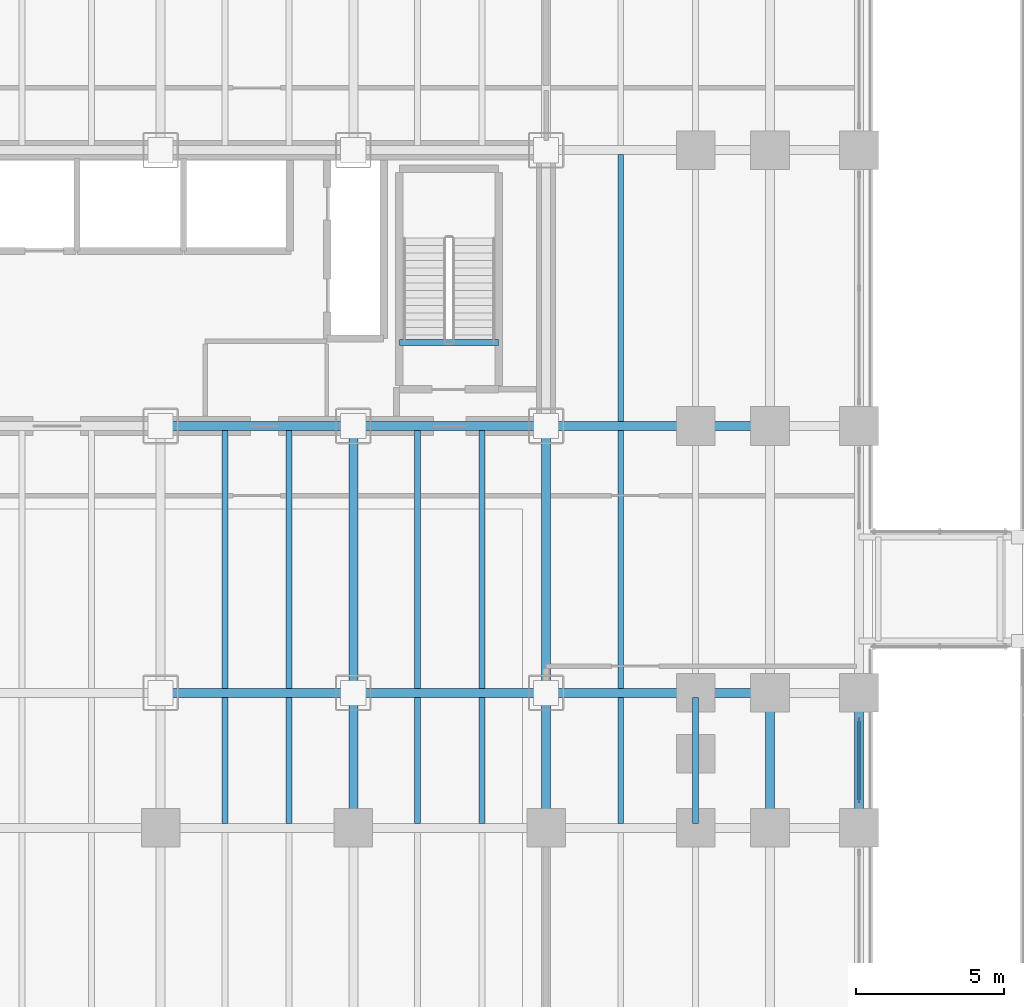
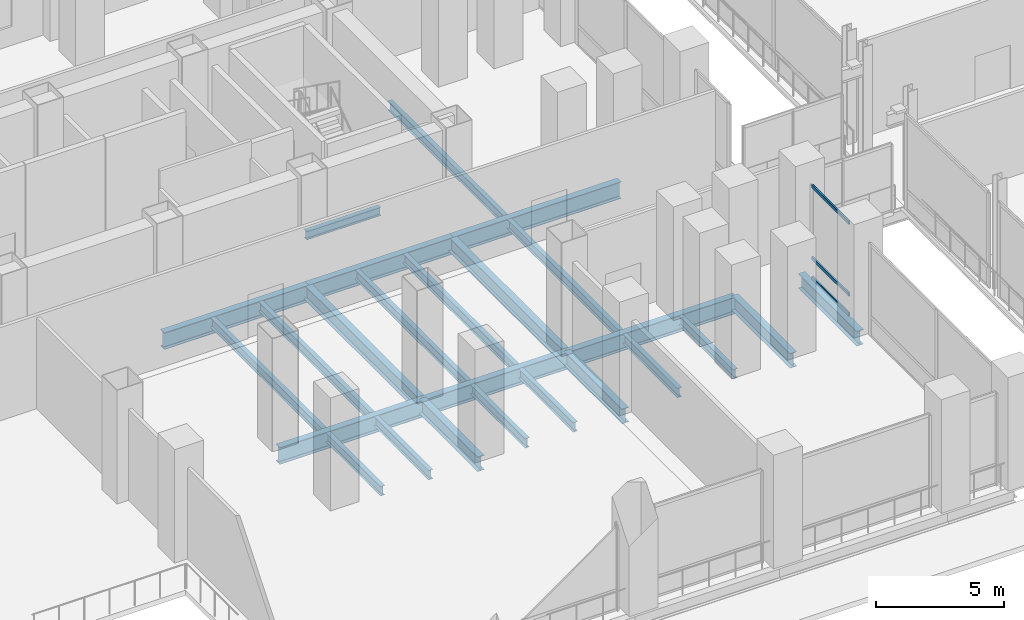
# One storey, part 11 of 32: 25 beams, 3 members, 1 element without a shape of its own.
"""IFC4 building model written with IfcOpenShell, lengths in metres."""

from ifc_helpers import new_model, si_unit, direction, frame, origin, origin_2d, place, context, subcontext, project, spatial, hollow_rectangle, i_section, extrude, material, material_profile, profile_set, type_object, element, aggregate, save


model = new_model("IFC4")

# Units and contexts
model_context = context("Model", 3, precision=1e-05, world=origin(), true_north=direction((0.0, 1.0)))
body_context = subcontext(model_context, "Body", "Model", "MODEL_VIEW")
ifc_project = project(units=[si_unit("LENGTHUNIT", "METRE"), si_unit("AREAUNIT", "SQUARE_METRE"), si_unit("VOLUMEUNIT", "CUBIC_METRE"), si_unit("PLANEANGLEUNIT", "RADIAN"), si_unit("MASSUNIT", "GRAM", prefix="KILO")], contexts=[model_context])

# Site, building, storey
site_placement = place(None, origin())
site = spatial("IfcSite", under=ifc_project, at=site_placement, CompositionType="ELEMENT")
building_placement = place(site_placement, origin())
building = spatial("IfcBuilding", under=site, at=building_placement, Name="Noeulbin Bourse Tower", CompositionType="ELEMENT")
storey_placement = place(building_placement, frame((0.0, 0.0, 5.800048828125)))
storey = spatial("IfcBuildingStorey", under=building, at=storey_placement, Name="L02", CompositionType="ELEMENT", Elevation=5.800048828125)

# Beams
ifc_material_1 = material(Name="Steel S355", Category="steel")
ifc_material_profile_1 = material_profile(ifc_material_1, i_section(OverallWidth=0.300048828125, OverallDepth=0.699951171875, WebThickness=0.012939453125, FlangeThickness=0.02392578125, FilletRadius=0.02392578125, at=origin_2d()), Name="H-700x300x13x24", Category="LoadBearing")
ifc_profile_set_1 = profile_set([ifc_material_profile_1], Name="Steel S355")
beam_type_1 = type_object("IfcBeamType", Name="BM-GRD-700", PredefinedType="USERDEFINED", material=ifc_profile_set_1)
beam_1_placement = place(storey_placement, frame((37.5, 15.449951171875, -0.60009765625), z_axis=(0.0, 1.0, 0.0), x_axis=(-1.0, 0.0, 0.0)))
element("IfcBeam", 1, at=beam_1_placement, inside=storey, type_object=beam_type_1, Name="Podium Primary Girder NS L02-086", ObjectType="GIRDER", PredefinedType="USERDEFINED", context=body_context, shape_type="SweptSolid", body=[
    extrude(i_section(OverallWidth=0.300048828125, OverallDepth=0.699951171875, WebThickness=0.012939453125, FlangeThickness=0.02392578125, FilletRadius=0.02392578125, at=origin_2d()), origin(), (0.0, 0.0, 1.0), 4.550048828125),
])
beam_2_placement = place(storey_placement, frame((37.5, 20.0, -0.60009765625), z_axis=(0.0, 1.0, 0.0), x_axis=(-1.0, 0.0, 0.0)))
element("IfcBeam", 2, at=beam_2_placement, inside=storey, type_object=beam_type_1, Name="Podium Primary Girder NS L02-087", ObjectType="GIRDER", PredefinedType="USERDEFINED", context=body_context, shape_type="SweptSolid", body=[
    extrude(i_section(OverallWidth=0.300048828125, OverallDepth=0.699951171875, WebThickness=0.012939453125, FlangeThickness=0.02392578125, FilletRadius=0.02392578125, at=origin_2d()), origin(), (0.0, 0.0, 1.0), 9.0),
])
beam_3_placement = place(storey_placement, frame((44.0, 15.449951171875, -0.60009765625), z_axis=(0.0, 1.0, 0.0), x_axis=(-1.0, 0.0, 0.0)))
element("IfcBeam", 3, at=beam_3_placement, inside=storey, type_object=beam_type_1, Name="Podium Primary Girder NS L02-091", ObjectType="GIRDER", PredefinedType="USERDEFINED", context=body_context, shape_type="SweptSolid", body=[
    extrude(i_section(OverallWidth=0.300048828125, OverallDepth=0.699951171875, WebThickness=0.012939453125, FlangeThickness=0.02392578125, FilletRadius=0.02392578125, at=origin_2d()), origin(), (0.0, 0.0, 1.0), 4.550048828125),
])
beam_4_placement = place(storey_placement, frame((44.0, 20.0, -0.60009765625), z_axis=(0.0, 1.0, 0.0), x_axis=(-1.0, 0.0, 0.0)))
element("IfcBeam", 4, at=beam_4_placement, inside=storey, type_object=beam_type_1, Name="Podium Primary Girder NS L02-092", ObjectType="GIRDER", PredefinedType="USERDEFINED", context=body_context, shape_type="SweptSolid", body=[
    extrude(i_section(OverallWidth=0.300048828125, OverallDepth=0.699951171875, WebThickness=0.012939453125, FlangeThickness=0.02392578125, FilletRadius=0.02392578125, at=origin_2d()), origin(), (0.0, 0.0, 1.0), 9.0),
])
for number, where, z_axis, x_axis, name in (
    (5, (51.550048828125, 15.449951171875, -0.60009765625), (0.0, 1.0, 0.0), (-1.0, 0.0, 0.0), "Podium Primary Girder NS L02-097"),
    (6, (54.550048828125, 15.449951171875, -0.60009765625), (0.0, 1.0, 0.0), (-1.0, 0.0, 0.0), "Podium Primary Girder NS L02-103"),
):
    element("IfcBeam", number, at=place(storey_placement, frame(where, z_axis=z_axis, x_axis=x_axis)), inside=storey, type_object=beam_type_1, Name=name, ObjectType="GIRDER", PredefinedType="USERDEFINED", context=body_context, shape_type="SweptSolid", body=[
        extrude(i_section(OverallWidth=0.300048828125, OverallDepth=0.699951171875, WebThickness=0.012939453125, FlangeThickness=0.02392578125, FilletRadius=0.02392578125, at=origin_2d()), origin(), (0.0, 0.0, 1.0), 4.550048828125),
    ])
ifc_material_profile_2 = material_profile(ifc_material_1, i_section(OverallWidth=0.300048828125, OverallDepth=0.800048828125, WebThickness=0.013916015625, FlangeThickness=0.02587890625, FilletRadius=0.02587890625, at=origin_2d()), Name="H-800x300x14x26", Category="LoadBearing")
ifc_profile_set_2 = profile_set([ifc_material_profile_2], Name="Steel S355")
beam_type_2 = type_object("IfcBeamType", Name="BM-GRD-800", PredefinedType="USERDEFINED", material=ifc_profile_set_2)
for number, where, z_axis, x_axis, name in (
    (7, (31.0, 20.0, -0.650146484375), (1.0, 0.0, 0.0), (0.0, 1.0, 0.0), "Podium Primary Girder EW L02-021"),
    (8, (37.5, 20.0, -0.650146484375), (1.0, 0.0, 0.0), (0.0, 1.0, 0.0), "Podium Primary Girder EW L02-022"),
):
    element("IfcBeam", number, at=place(storey_placement, frame(where, z_axis=z_axis, x_axis=x_axis)), inside=storey, type_object=beam_type_2, Name=name, ObjectType="GIRDER", PredefinedType="USERDEFINED", context=body_context, shape_type="SweptSolid", body=[
        extrude(i_section(OverallWidth=0.300048828125, OverallDepth=0.800048828125, WebThickness=0.013916015625, FlangeThickness=0.02587890625, FilletRadius=0.02587890625, at=origin_2d()), origin(), (0.0, 0.0, 1.0), 6.5),
    ])
beam_5_placement = place(storey_placement, frame((44.0, 20.0, -0.650146484375), z_axis=(1.0, 0.0, 0.0), x_axis=(0.0, 1.0, 0.0)))
element("IfcBeam", 9, at=beam_5_placement, inside=storey, type_object=beam_type_2, Name="Podium Primary Girder EW L02-023", ObjectType="GIRDER", PredefinedType="USERDEFINED", context=body_context, shape_type="SweptSolid", body=[
    extrude(i_section(OverallWidth=0.300048828125, OverallDepth=0.800048828125, WebThickness=0.013916015625, FlangeThickness=0.02587890625, FilletRadius=0.02587890625, at=origin_2d()), origin(), (0.0, 0.0, 1.0), 7.550048828125),
])
for number, where, z_axis, x_axis, name in (
    (10, (31.0, 29.0, -0.650146484375), (1.0, 0.0, 0.0), (0.0, 1.0, 0.0), "Podium Primary Girder EW L02-029"),
    (11, (37.5, 29.0, -0.650146484375), (1.0, 0.0, 0.0), (0.0, 1.0, 0.0), "Podium Primary Girder EW L02-030"),
):
    element("IfcBeam", number, at=place(storey_placement, frame(where, z_axis=z_axis, x_axis=x_axis)), inside=storey, type_object=beam_type_2, Name=name, ObjectType="GIRDER", PredefinedType="USERDEFINED", context=body_context, shape_type="SweptSolid", body=[
        extrude(i_section(OverallWidth=0.300048828125, OverallDepth=0.800048828125, WebThickness=0.013916015625, FlangeThickness=0.02587890625, FilletRadius=0.02587890625, at=origin_2d()), origin(), (0.0, 0.0, 1.0), 6.5),
    ])
beam_6_placement = place(storey_placement, frame((44.0, 29.0, -0.650146484375), z_axis=(1.0, 0.0, 0.0), x_axis=(0.0, 1.0, 0.0)))
element("IfcBeam", 12, at=beam_6_placement, inside=storey, type_object=beam_type_2, Name="Podium Primary Girder EW L02-031", ObjectType="GIRDER", PredefinedType="USERDEFINED", context=body_context, shape_type="SweptSolid", body=[
    extrude(i_section(OverallWidth=0.300048828125, OverallDepth=0.800048828125, WebThickness=0.013916015625, FlangeThickness=0.02587890625, FilletRadius=0.02587890625, at=origin_2d()), origin(), (0.0, 0.0, 1.0), 7.550048828125),
])
ifc_material_profile_3 = material_profile(ifc_material_1, i_section(OverallWidth=0.199951171875, OverallDepth=0.39990234375, WebThickness=0.008056640625, FlangeThickness=0.012939453125, FilletRadius=0.01611328125, at=origin_2d()), Name="H-400x200x8x13", Category="LoadBearing")
ifc_profile_set_3 = profile_set([ifc_material_profile_3], Name="Steel S355")
beam_type_3 = type_object("IfcBeamType", Name="BM-SEC-400", PredefinedType="BEAM", material=ifc_profile_set_3)
beam_7_placement = place(storey_placement, frame((39.06005859375, 31.820068359375, -0.199951171875), z_axis=(1.0, 0.0, 0.0), x_axis=(0.0, 1.0, 0.0)))
element("IfcBeam", 13, at=beam_7_placement, inside=storey, type_object=beam_type_3, Name="Stair Threshold Trimmer Beam ST2-L02", PredefinedType="BEAM", context=body_context, shape_type="SweptSolid", body=[
    extrude(i_section(OverallWidth=0.199951171875, OverallDepth=0.39990234375, WebThickness=0.008056640625, FlangeThickness=0.012939453125, FilletRadius=0.01611328125, at=origin_2d()), origin(), (0.0, 0.0, 1.0), 3.33984375),
])
ifc_material_profile_4 = material_profile(ifc_material_1, i_section(OverallWidth=0.199951171875, OverallDepth=0.449951171875, WebThickness=0.009033203125, FlangeThickness=0.013916015625, FilletRadius=0.01806640625, at=origin_2d()), Name="H-450x200x9x14", Category="LoadBearing")
ifc_profile_set_4 = profile_set([ifc_material_profile_4], Name="Steel S355")
beam_type_4 = type_object("IfcBeamType", Name="BM-SEC-450", PredefinedType="BEAM", material=ifc_profile_set_4)
beam_8_placement = place(storey_placement, frame((33.166748046875, 15.60009765625, -0.47509765625), z_axis=(0.0, 1.0, 0.0), x_axis=(-1.0, 0.0, 0.0)))
element("IfcBeam", 14, at=beam_8_placement, inside=storey, type_object=beam_type_4, Name="Podium Secondary Beam L02-050", PredefinedType="BEAM", context=body_context, shape_type="SweptSolid", body=[
    extrude(i_section(OverallWidth=0.199951171875, OverallDepth=0.449951171875, WebThickness=0.009033203125, FlangeThickness=0.013916015625, FilletRadius=0.01806640625, at=origin_2d()), origin(), (0.0, 0.0, 1.0), 4.25),
])
beam_9_placement = place(storey_placement, frame((33.166748046875, 20.14990234375, -0.47509765625), z_axis=(0.0, 1.0, 0.0), x_axis=(-1.0, 0.0, 0.0)))
element("IfcBeam", 15, at=beam_9_placement, inside=storey, type_object=beam_type_4, Name="Podium Secondary Beam L02-051", PredefinedType="BEAM", context=body_context, shape_type="SweptSolid", body=[
    extrude(i_section(OverallWidth=0.199951171875, OverallDepth=0.449951171875, WebThickness=0.009033203125, FlangeThickness=0.013916015625, FilletRadius=0.01806640625, at=origin_2d()), origin(), (0.0, 0.0, 1.0), 8.7001953125),
])
beam_10_placement = place(storey_placement, frame((35.333251953125, 15.60009765625, -0.47509765625), z_axis=(0.0, 1.0, 0.0), x_axis=(-1.0, 0.0, 0.0)))
element("IfcBeam", 16, at=beam_10_placement, inside=storey, type_object=beam_type_4, Name="Podium Secondary Beam L02-055", PredefinedType="BEAM", context=body_context, shape_type="SweptSolid", body=[
    extrude(i_section(OverallWidth=0.199951171875, OverallDepth=0.449951171875, WebThickness=0.009033203125, FlangeThickness=0.013916015625, FilletRadius=0.01806640625, at=origin_2d()), origin(), (0.0, 0.0, 1.0), 4.25),
])
beam_11_placement = place(storey_placement, frame((35.333251953125, 20.14990234375, -0.47509765625), z_axis=(0.0, 1.0, 0.0), x_axis=(-1.0, 0.0, 0.0)))
element("IfcBeam", 17, at=beam_11_placement, inside=storey, type_object=beam_type_4, Name="Podium Secondary Beam L02-056", PredefinedType="BEAM", context=body_context, shape_type="SweptSolid", body=[
    extrude(i_section(OverallWidth=0.199951171875, OverallDepth=0.449951171875, WebThickness=0.009033203125, FlangeThickness=0.013916015625, FilletRadius=0.01806640625, at=origin_2d()), origin(), (0.0, 0.0, 1.0), 8.7001953125),
])
beam_12_placement = place(storey_placement, frame((39.666748046875, 15.60009765625, -0.47509765625), z_axis=(0.0, 1.0, 0.0), x_axis=(-1.0, 0.0, 0.0)))
element("IfcBeam", 18, at=beam_12_placement, inside=storey, type_object=beam_type_4, Name="Podium Secondary Beam L02-060", PredefinedType="BEAM", context=body_context, shape_type="SweptSolid", body=[
    extrude(i_section(OverallWidth=0.199951171875, OverallDepth=0.449951171875, WebThickness=0.009033203125, FlangeThickness=0.013916015625, FilletRadius=0.01806640625, at=origin_2d()), origin(), (0.0, 0.0, 1.0), 4.25),
])
beam_13_placement = place(storey_placement, frame((39.666748046875, 20.14990234375, -0.47509765625), z_axis=(0.0, 1.0, 0.0), x_axis=(-1.0, 0.0, 0.0)))
element("IfcBeam", 19, at=beam_13_placement, inside=storey, type_object=beam_type_4, Name="Podium Secondary Beam L02-061", PredefinedType="BEAM", context=body_context, shape_type="SweptSolid", body=[
    extrude(i_section(OverallWidth=0.199951171875, OverallDepth=0.449951171875, WebThickness=0.009033203125, FlangeThickness=0.013916015625, FilletRadius=0.01806640625, at=origin_2d()), origin(), (0.0, 0.0, 1.0), 8.7001953125),
])
beam_14_placement = place(storey_placement, frame((41.833251953125, 15.60009765625, -0.47509765625), z_axis=(0.0, 1.0, 0.0), x_axis=(-1.0, 0.0, 0.0)))
element("IfcBeam", 20, at=beam_14_placement, inside=storey, type_object=beam_type_4, Name="Podium Secondary Beam L02-065", PredefinedType="BEAM", context=body_context, shape_type="SweptSolid", body=[
    extrude(i_section(OverallWidth=0.199951171875, OverallDepth=0.449951171875, WebThickness=0.009033203125, FlangeThickness=0.013916015625, FilletRadius=0.01806640625, at=origin_2d()), origin(), (0.0, 0.0, 1.0), 4.25),
])
beam_15_placement = place(storey_placement, frame((41.833251953125, 20.14990234375, -0.47509765625), z_axis=(0.0, 1.0, 0.0), x_axis=(-1.0, 0.0, 0.0)))
element("IfcBeam", 21, at=beam_15_placement, inside=storey, type_object=beam_type_4, Name="Podium Secondary Beam L02-066", PredefinedType="BEAM", context=body_context, shape_type="SweptSolid", body=[
    extrude(i_section(OverallWidth=0.199951171875, OverallDepth=0.449951171875, WebThickness=0.009033203125, FlangeThickness=0.013916015625, FilletRadius=0.01806640625, at=origin_2d()), origin(), (0.0, 0.0, 1.0), 8.7001953125),
])
beam_16_placement = place(storey_placement, frame((46.5166015625, 15.60009765625, -0.47509765625), z_axis=(0.0, 1.0, 0.0), x_axis=(-1.0, 0.0, 0.0)))
element("IfcBeam", 22, at=beam_16_placement, inside=storey, type_object=beam_type_4, Name="Podium Secondary Beam L02-070", PredefinedType="BEAM", context=body_context, shape_type="SweptSolid", body=[
    extrude(i_section(OverallWidth=0.199951171875, OverallDepth=0.449951171875, WebThickness=0.009033203125, FlangeThickness=0.013916015625, FilletRadius=0.01806640625, at=origin_2d()), origin(), (0.0, 0.0, 1.0), 4.25),
])
beam_17_placement = place(storey_placement, frame((46.5166015625, 20.14990234375, -0.47509765625), z_axis=(0.0, 1.0, 0.0), x_axis=(-1.0, 0.0, 0.0)))
element("IfcBeam", 23, at=beam_17_placement, inside=storey, type_object=beam_type_4, Name="Podium Secondary Beam L02-071", PredefinedType="BEAM", context=body_context, shape_type="SweptSolid", body=[
    extrude(i_section(OverallWidth=0.199951171875, OverallDepth=0.449951171875, WebThickness=0.009033203125, FlangeThickness=0.013916015625, FilletRadius=0.01806640625, at=origin_2d()), origin(), (0.0, 0.0, 1.0), 8.7001953125),
])
beam_18_placement = place(storey_placement, frame((46.5166015625, 29.14990234375, -0.47509765625), z_axis=(0.0, 1.0, 0.0), x_axis=(-1.0, 0.0, 0.0)))
element("IfcBeam", 24, at=beam_18_placement, inside=storey, type_object=beam_type_4, Name="Podium Secondary Beam L02-072", PredefinedType="BEAM", context=body_context, shape_type="SweptSolid", body=[
    extrude(i_section(OverallWidth=0.199951171875, OverallDepth=0.449951171875, WebThickness=0.009033203125, FlangeThickness=0.013916015625, FilletRadius=0.01806640625, at=origin_2d()), origin(), (0.0, 0.0, 1.0), 9.0),
])
beam_19_placement = place(storey_placement, frame((49.033203125, 15.60009765625, -0.47509765625), z_axis=(0.0, 1.0, 0.0), x_axis=(-1.0, 0.0, 0.0)))
element("IfcBeam", 25, at=beam_19_placement, inside=storey, type_object=beam_type_4, Name="Podium Secondary Beam L02-076", PredefinedType="BEAM", context=body_context, shape_type="SweptSolid", body=[
    extrude(i_section(OverallWidth=0.199951171875, OverallDepth=0.449951171875, WebThickness=0.009033203125, FlangeThickness=0.013916015625, FilletRadius=0.01806640625, at=origin_2d()), origin(), (0.0, 0.0, 1.0), 4.25),
])

# Curtain wall, members
ifc_material_2 = material(Name="Laminated Clear Low-E Glass", Category="glass")
curtain_wall_type = type_object("IfcCurtainWallType", Name="CW-SYS-1", PredefinedType="NOTDEFINED", material=ifc_material_2)
curtain_wall_placement = place(storey_placement, origin())
curtain_wall = element("IfcCurtainWall", 26, at=curtain_wall_placement, inside=storey, type_object=curtain_wall_type, Name="Unitised Curtain Wall CW-L02-POD-E1-S2", PredefinedType="NOTDEFINED")
ifc_material_3 = material(Name="Anodised Aluminium 6063-T6", Category="aluminium")
ifc_material_profile_5 = material_profile(ifc_material_3, hollow_rectangle(XDim=0.074951171875, YDim=0.159912109375, WallThickness=0.0048828125, InnerFilletRadius=0.00244140625, OuterFilletRadius=0.0048828125, at=origin_2d()), Name="ALU-TRAN-75x160x5", Category="LoadBearing")
ifc_profile_set_5 = profile_set([ifc_material_profile_5], Name="Anodised Aluminium 6063-T6")
member_type = type_object("IfcMemberType", Name="CW-SYS-1-TRN", PredefinedType="USERDEFINED", material=ifc_profile_set_5)
member_1_placement = place(storey_placement, frame((54.550048828125, 16.284912109375, 0.010009765625), z_axis=(0.0, 1.0, 0.0), x_axis=(-1.0, 0.0, 0.0)))
member_1 = element("IfcMember", 27, at=member_1_placement, type_object=member_type, Name="Curtain Wall Transom CW-L02-POD-E1-S2-T00", ObjectType="TRANSOM", PredefinedType="USERDEFINED", context=body_context, shape_type="SweptSolid", body=[
    extrude(hollow_rectangle(XDim=0.074951171875, YDim=0.159912109375, WallThickness=0.0048828125, InnerFilletRadius=0.00244140625, OuterFilletRadius=0.0048828125, at=origin_2d()), origin(), (0.0, 0.0, 1.0), 2.880126953125),
])
member_2_placement = place(storey_placement, frame((54.550048828125, 16.284912109375, 0.949951171875), z_axis=(0.0, 1.0, 0.0), x_axis=(-1.0, 0.0, 0.0)))
member_2 = element("IfcMember", 28, at=member_2_placement, type_object=member_type, Name="Curtain Wall Transom CW-L02-POD-E1-S2-T01", ObjectType="TRANSOM", PredefinedType="USERDEFINED", context=body_context, shape_type="SweptSolid", body=[
    extrude(hollow_rectangle(XDim=0.074951171875, YDim=0.159912109375, WallThickness=0.0048828125, InnerFilletRadius=0.00244140625, OuterFilletRadius=0.0048828125, at=origin_2d()), origin(), (0.0, 0.0, 1.0), 2.880126953125),
])
member_3_placement = place(storey_placement, frame((54.550048828125, 16.284912109375, 4.35986328125), z_axis=(0.0, 1.0, 0.0), x_axis=(-1.0, 0.0, 0.0)))
member_3 = element("IfcMember", 29, at=member_3_placement, type_object=member_type, Name="Curtain Wall Transom CW-L02-POD-E1-S2-T02", ObjectType="TRANSOM", PredefinedType="USERDEFINED", context=body_context, shape_type="SweptSolid", body=[
    extrude(hollow_rectangle(XDim=0.074951171875, YDim=0.159912109375, WallThickness=0.0048828125, InnerFilletRadius=0.00244140625, OuterFilletRadius=0.0048828125, at=origin_2d()), origin(), (0.0, 0.0, 1.0), 2.880126953125),
])
aggregate(curtain_wall, [member_1, member_2, member_3])

save(model, "model.ifc")
